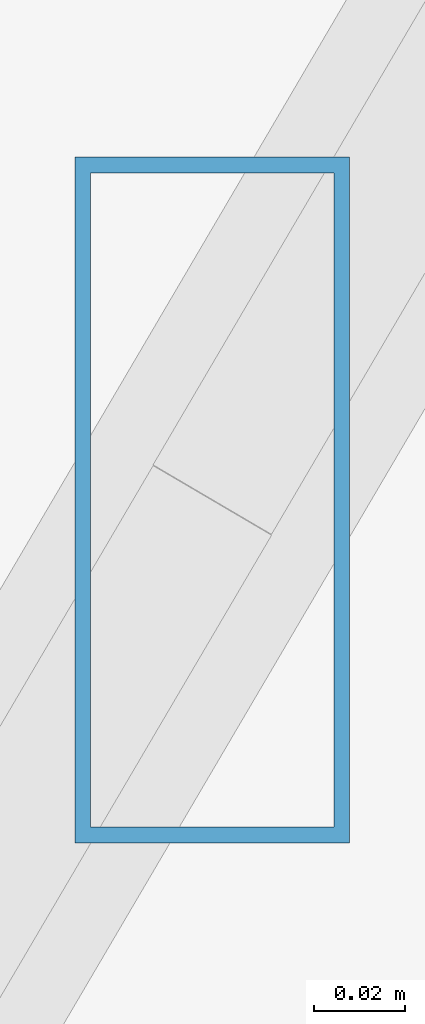
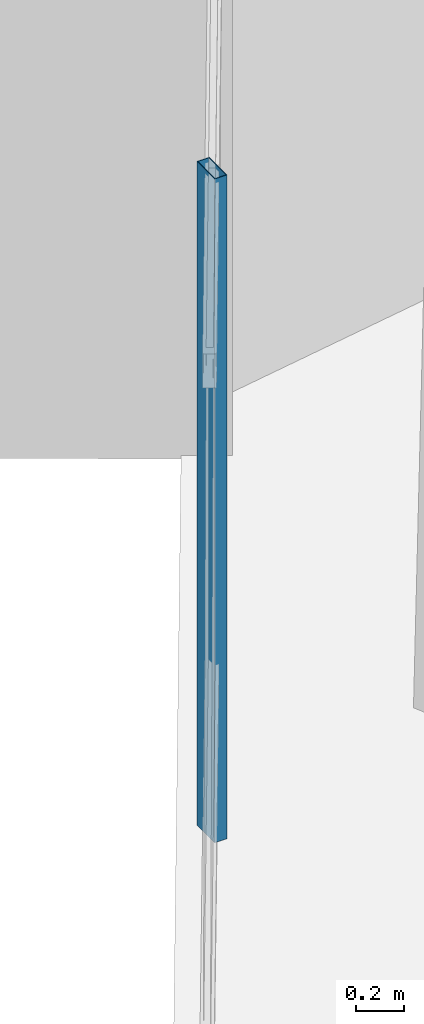
# One storey, part 8 of 42: 1 member, 1 element without a shape of its own.
"""IFC4 building model written with IfcOpenShell, lengths in metres."""

from ifc_helpers import new_model, si_unit, direction, frame, origin, origin_2d, place, context, subcontext, project, spatial, hollow_rectangle, extrude, source, transform, mapped, material, material_profile, profile_set, type_object, type_shapes, element, aggregate, save


model = new_model("IFC4")

# Units and contexts
model_context = context("Model", 3, precision=1e-05, world=origin(), true_north=direction((0.0, 1.0)))
body_context = subcontext(model_context, "Body", "Model", "MODEL_VIEW")
ifc_project = project(units=[si_unit("LENGTHUNIT", "METRE"), si_unit("AREAUNIT", "SQUARE_METRE"), si_unit("VOLUMEUNIT", "CUBIC_METRE"), si_unit("PLANEANGLEUNIT", "RADIAN"), si_unit("MASSUNIT", "GRAM", prefix="KILO")], contexts=[model_context])

# Site, building, storey
site_placement = place(None, origin())
site = spatial("IfcSite", under=ifc_project, at=site_placement, CompositionType="ELEMENT")
building_placement = place(site_placement, origin())
building = spatial("IfcBuilding", under=site, at=building_placement, Name="Caelisora Broadcast Tower", CompositionType="ELEMENT")
storey_placement = place(building_placement, frame((0.0, 0.0, 187.699951171875)))
storey = spatial("IfcBuildingStorey", under=building, at=storey_placement, Name="L49", CompositionType="ELEMENT", Elevation=187.699951171875)

# Curtain wall, member
ifc_material_1 = material(Name="Unitised Aluminium and Low-E Glass Curtain Wall", Category="glass")
curtain_wall_type = type_object("IfcCurtainWallType", Name="CW-Z4", PredefinedType="NOTDEFINED", material=ifc_material_1)
curtain_wall_placement = place(storey_placement, origin())
curtain_wall = element("IfcCurtainWall", 1, at=curtain_wall_placement, inside=storey, type_object=curtain_wall_type, Name="L49 curtain wall CW-Z4", PredefinedType="NOTDEFINED")
ifc_material_2 = material(Name="Aluminium 6063-T6 Anodised Terracotta Bronze", Category="aluminium")
ifc_material_profile = material_profile(ifc_material_2, hollow_rectangle(XDim=0.06005859375, YDim=0.14990234375, WallThickness=0.00341796875, at=origin_2d()), Name="Aluminium 6063-T6 Anodised Terracotta Bronze")
ifc_profile_set = profile_set([ifc_material_profile], Name="Aluminium 6063-T6 Anodised Terracotta Bronze")
member_type = type_object("IfcMemberType", Name="CWM-03", PredefinedType="MULLION", material=ifc_profile_set)
shared_shape = source(origin(), body_context, "Body", "SweptSolid", [
    extrude(hollow_rectangle(XDim=0.06005859375, YDim=0.14990234375, WallThickness=0.00341796875, at=origin_2d()), origin(), (0.0, 0.0, 1.0), 3.400146484375),
])
type_shapes(member_type, [shared_shape])
member_placement = place(storey_placement, frame((14.010498046875, 17.308349609375, 0.0), z_axis=(0.0, 0.0, 1.0), x_axis=(1.0, 0.0, 0.0)))
member = element("IfcMember", 2, at=member_placement, type_object=member_type, Name="L49-CW-B09 mullion #1", PredefinedType="MULLION", context=body_context, shape_type="MappedRepresentation", body=[
    mapped(shared_shape, transform((0.0, 0.0, 0.0), scale=1.0)),
])
aggregate(curtain_wall, [member])

save(model, "model.ifc")
